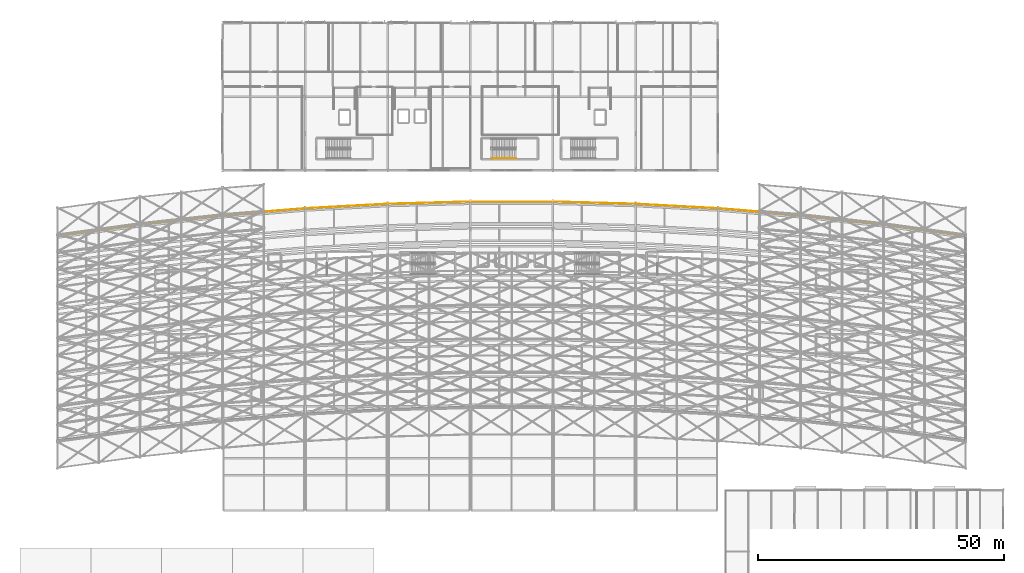
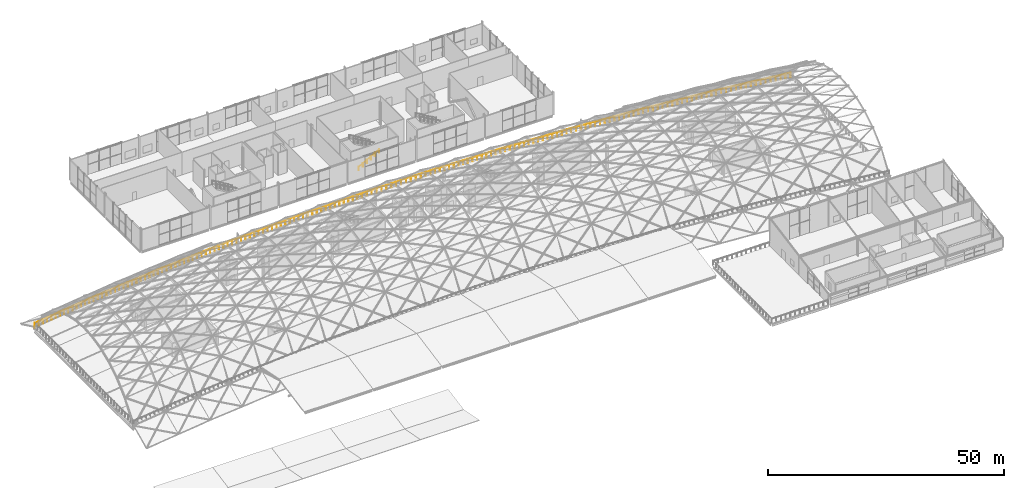
# One storey, part 95 of 100: 2 railings.
"""IFC4 building model written with IfcOpenShell, lengths in metres."""

from ifc_helpers import new_model, si_unit, direction, frame, origin, origin_2d, place, context, subcontext, project, spatial, circle, extrude, material, type_object, element, save


model = new_model("IFC4")

# Units and contexts
model_context = context("Model", 3, precision=1e-05, world=origin(), true_north=direction((0.0, 1.0)))
body_context = subcontext(model_context, "Body", "Model", "MODEL_VIEW")
ifc_project = project(units=[si_unit("LENGTHUNIT", "METRE"), si_unit("AREAUNIT", "SQUARE_METRE"), si_unit("VOLUMEUNIT", "CUBIC_METRE"), si_unit("PLANEANGLEUNIT", "RADIAN"), si_unit("MASSUNIT", "GRAM", prefix="KILO")], contexts=[model_context])

# Site, building, storey
site_placement = place(None, origin())
site = spatial("IfcSite", under=ifc_project, at=site_placement, CompositionType="ELEMENT")
building_placement = place(site_placement, origin())
building = spatial("IfcBuilding", under=site, at=building_placement, Name="Kimbaza Rail Terminus", CompositionType="ELEMENT")
storey_placement = place(building_placement, frame((0.0, 0.0, 10.800048828125)))
storey = spatial("IfcBuildingStorey", under=building, at=storey_placement, Name="L02", CompositionType="ELEMENT", Elevation=10.800048828125)

# Railings
ifc_material_1 = material(Name="Painted galvanised steel platform perimeter guard", Category="steel")
railing_type_1 = type_object("IfcRailingType", Name="ARC-RL-BAL115", PredefinedType="BALUSTRADE", material=ifc_material_1)
railing_1_placement = place(storey_placement, frame((21.60009765625, 89.77587890625, 0.0)))
element("IfcRailing", 1, at=railing_1_placement, inside=storey, type_object=railing_type_1, Name="Viaduct North Platform Edge Guard", PredefinedType="BALUSTRADE", context=body_context, shape_type="SweptSolid", body=[
    extrude(circle(Radius=0.02392578125, at=origin_2d()), frame((0.0, 0.0, 1.1259765625), z_axis=(0.990776995919, 0.135502562178, 0.0), x_axis=(-0.135502562178, 0.990776995919, 0.0)), (0.0, 0.0, 1.0), 16.956298828125),
    extrude(circle(Radius=0.02392578125, at=origin_2d()), frame((16.7998046875, 2.297607421875, 1.1259765625), z_axis=(0.994106649881, 0.108406497329, 0.0), x_axis=(-0.108406497329, 0.994106649881, 0.0)), (0.0, 0.0, 1.0), 16.899658203125),
    extrude(circle(Radius=0.02392578125, at=origin_2d()), frame((33.599853515625, 4.129638671875, 1.1259765625), z_axis=(0.99668976743, 0.081298877604, 0.0), x_axis=(-0.081298877604, 0.99668976743, 0.0)), (0.0, 0.0, 1.0), 16.85595703125),
    extrude(circle(Radius=0.02392578125, at=origin_2d()), frame((50.39990234375, 5.5, 1.1259765625), z_axis=(0.998530221346, 0.054197758806, 0.0), x_axis=(-0.054197758806, 0.998530221346, 0.0)), (0.0, 0.0, 1.0), 16.82470703125),
    extrude(circle(Radius=0.02392578125, at=origin_2d()), frame((67.199951171875, 6.411865234375, 1.1259765625), z_axis=(0.999632931162, 0.027092488579, 0.0), x_axis=(-0.027092488579, 0.999632931162, 0.0)), (0.0, 0.0, 1.0), 16.80615234375),
    extrude(circle(Radius=0.02392578125, at=origin_2d()), frame((84.0, 6.8671875, 1.1259765625), z_axis=(1.0, 0.0, 0.0), x_axis=(0.0, 1.0, 0.0)), (0.0, 0.0, 1.0), 16.7998046875),
    extrude(circle(Radius=0.02392578125, at=origin_2d()), frame((100.7998046875, 6.8671875, 1.1259765625), z_axis=(0.999632931162, -0.027092488579, 0.0), x_axis=(0.027092488579, 0.999632931162, 0.0)), (0.0, 0.0, 1.0), 16.80615234375),
    extrude(circle(Radius=0.02392578125, at=origin_2d()), frame((117.599853515625, 6.411865234375, 1.1259765625), z_axis=(0.998530221346, -0.054197758806, 0.0), x_axis=(0.054197758806, 0.998530221346, 0.0)), (0.0, 0.0, 1.0), 16.82470703125),
    extrude(circle(Radius=0.02392578125, at=origin_2d()), frame((134.39990234375, 5.5, 1.1259765625), z_axis=(0.99668976743, -0.081298877604, 0.0), x_axis=(0.081298877604, 0.99668976743, 0.0)), (0.0, 0.0, 1.0), 16.85595703125),
    extrude(circle(Radius=0.02392578125, at=origin_2d()), frame((151.199951171875, 4.129638671875, 1.1259765625), z_axis=(0.994106649881, -0.108406497329, 0.0), x_axis=(0.108406497329, 0.994106649881, 0.0)), (0.0, 0.0, 1.0), 16.899658203125),
    extrude(circle(Radius=0.02392578125, at=origin_2d()), frame((168.0, 2.297607421875, 1.1259765625), z_axis=(0.990776995919, -0.135502562178, 0.0), x_axis=(0.135502562178, 0.990776995919, 0.0)), (0.0, 0.0, 1.0), 16.956298828125),
    extrude(circle(Radius=0.02099609375, at=origin_2d()), origin(), (0.0, 0.0, 1.0), 1.101806640625),
    extrude(circle(Radius=0.02099609375, at=origin_2d()), frame((1.119873046875, 0.153076171875, 0.0)), (0.0, 0.0, 1.0), 1.101806640625),
    extrude(circle(Radius=0.02099609375, at=origin_2d()), frame((2.239990234375, 0.306396484375, 0.0)), (0.0, 0.0, 1.0), 1.101806640625),
    extrude(circle(Radius=0.02099609375, at=origin_2d()), frame((3.35986328125, 0.45947265625, 0.0)), (0.0, 0.0, 1.0), 1.101806640625),
    extrude(circle(Radius=0.02099609375, at=origin_2d()), frame((4.47998046875, 0.61279296875, 0.0)), (0.0, 0.0, 1.0), 1.101806640625),
    extrude(circle(Radius=0.02099609375, at=origin_2d()), frame((5.599853515625, 0.765869140625, 0.0)), (0.0, 0.0, 1.0), 1.101806640625),
    extrude(circle(Radius=0.02099609375, at=origin_2d()), frame((6.719970703125, 0.9189453125, 0.0)), (0.0, 0.0, 1.0), 1.101806640625),
    extrude(circle(Radius=0.02099609375, at=origin_2d()), frame((7.83984375, 1.072265625, 0.0)), (0.0, 0.0, 1.0), 1.101806640625),
    extrude(circle(Radius=0.02099609375, at=origin_2d()), frame((8.9599609375, 1.225341796875, 0.0)), (0.0, 0.0, 1.0), 1.101806640625),
    extrude(circle(Radius=0.02099609375, at=origin_2d()), frame((10.079833984375, 1.378662109375, 0.0)), (0.0, 0.0, 1.0), 1.101806640625),
    extrude(circle(Radius=0.02099609375, at=origin_2d()), frame((11.199951171875, 1.53173828125, 0.0)), (0.0, 0.0, 1.0), 1.101806640625),
    extrude(circle(Radius=0.02099609375, at=origin_2d()), frame((12.31982421875, 1.684814453125, 0.0)), (0.0, 0.0, 1.0), 1.101806640625),
    extrude(circle(Radius=0.02099609375, at=origin_2d()), frame((13.43994140625, 1.838134765625, 0.0)), (0.0, 0.0, 1.0), 1.101806640625),
    extrude(circle(Radius=0.02099609375, at=origin_2d()), frame((14.559814453125, 1.9912109375, 0.0)), (0.0, 0.0, 1.0), 1.101806640625),
    extrude(circle(Radius=0.02099609375, at=origin_2d()), frame((15.679931640625, 2.14453125, 0.0)), (0.0, 0.0, 1.0), 1.101806640625),
    extrude(circle(Radius=0.02099609375, at=origin_2d()), frame((16.7998046875, 2.297607421875, 0.0)), (0.0, 0.0, 1.0), 1.101806640625),
    extrude(circle(Radius=0.02099609375, at=origin_2d()), frame((17.919921875, 2.419677734375, 0.0)), (0.0, 0.0, 1.0), 1.101806640625),
    extrude(circle(Radius=0.02099609375, at=origin_2d()), frame((19.039794921875, 2.5419921875, 0.0)), (0.0, 0.0, 1.0), 1.101806640625),
    extrude(circle(Radius=0.02099609375, at=origin_2d()), frame((20.159912109375, 2.6640625, 0.0)), (0.0, 0.0, 1.0), 1.101806640625),
    extrude(circle(Radius=0.02099609375, at=origin_2d()), frame((21.27978515625, 2.7861328125, 0.0)), (0.0, 0.0, 1.0), 1.101806640625),
    extrude(circle(Radius=0.02099609375, at=origin_2d()), frame((22.39990234375, 2.908203125, 0.0)), (0.0, 0.0, 1.0), 1.101806640625),
    extrude(circle(Radius=0.02099609375, at=origin_2d()), frame((23.519775390625, 3.030517578125, 0.0)), (0.0, 0.0, 1.0), 1.101806640625),
    extrude(circle(Radius=0.02099609375, at=origin_2d()), frame((24.639892578125, 3.152587890625, 0.0)), (0.0, 0.0, 1.0), 1.101806640625),
    extrude(circle(Radius=0.02099609375, at=origin_2d()), frame((25.759765625, 3.274658203125, 0.0)), (0.0, 0.0, 1.0), 1.101806640625),
    extrude(circle(Radius=0.02099609375, at=origin_2d()), frame((26.8798828125, 3.396728515625, 0.0)), (0.0, 0.0, 1.0), 1.101806640625),
    extrude(circle(Radius=0.02099609375, at=origin_2d()), frame((27.999755859375, 3.51904296875, 0.0)), (0.0, 0.0, 1.0), 1.101806640625),
    extrude(circle(Radius=0.02099609375, at=origin_2d()), frame((29.119873046875, 3.64111328125, 0.0)), (0.0, 0.0, 1.0), 1.101806640625),
    extrude(circle(Radius=0.02099609375, at=origin_2d()), frame((30.23974609375, 3.76318359375, 0.0)), (0.0, 0.0, 1.0), 1.101806640625),
    extrude(circle(Radius=0.02099609375, at=origin_2d()), frame((31.35986328125, 3.88525390625, 0.0)), (0.0, 0.0, 1.0), 1.101806640625),
    extrude(circle(Radius=0.02099609375, at=origin_2d()), frame((32.479736328125, 4.007568359375, 0.0)), (0.0, 0.0, 1.0), 1.101806640625),
    extrude(circle(Radius=0.02099609375, at=origin_2d()), frame((33.599853515625, 4.129638671875, 0.0)), (0.0, 0.0, 1.0), 1.101806640625),
    extrude(circle(Radius=0.02099609375, at=origin_2d()), frame((34.719970703125, 4.220947265625, 0.0)), (0.0, 0.0, 1.0), 1.101806640625),
    extrude(circle(Radius=0.02099609375, at=origin_2d()), frame((35.83984375, 4.312255859375, 0.0)), (0.0, 0.0, 1.0), 1.101806640625),
    extrude(circle(Radius=0.02099609375, at=origin_2d()), frame((36.9599609375, 4.40380859375, 0.0)), (0.0, 0.0, 1.0), 1.101806640625),
    extrude(circle(Radius=0.02099609375, at=origin_2d()), frame((38.079833984375, 4.4951171875, 0.0)), (0.0, 0.0, 1.0), 1.101806640625),
    extrude(circle(Radius=0.02099609375, at=origin_2d()), frame((39.199951171875, 4.58642578125, 0.0)), (0.0, 0.0, 1.0), 1.101806640625),
    extrude(circle(Radius=0.02099609375, at=origin_2d()), frame((40.31982421875, 4.677734375, 0.0)), (0.0, 0.0, 1.0), 1.101806640625),
    extrude(circle(Radius=0.02099609375, at=origin_2d()), frame((41.43994140625, 4.76904296875, 0.0)), (0.0, 0.0, 1.0), 1.101806640625),
    extrude(circle(Radius=0.02099609375, at=origin_2d()), frame((42.559814453125, 4.860595703125, 0.0)), (0.0, 0.0, 1.0), 1.101806640625),
    extrude(circle(Radius=0.02099609375, at=origin_2d()), frame((43.679931640625, 4.951904296875, 0.0)), (0.0, 0.0, 1.0), 1.101806640625),
    extrude(circle(Radius=0.02099609375, at=origin_2d()), frame((44.7998046875, 5.043212890625, 0.0)), (0.0, 0.0, 1.0), 1.101806640625),
    extrude(circle(Radius=0.02099609375, at=origin_2d()), frame((45.919921875, 5.134521484375, 0.0)), (0.0, 0.0, 1.0), 1.101806640625),
    extrude(circle(Radius=0.02099609375, at=origin_2d()), frame((47.039794921875, 5.225830078125, 0.0)), (0.0, 0.0, 1.0), 1.101806640625),
    extrude(circle(Radius=0.02099609375, at=origin_2d()), frame((48.159912109375, 5.3173828125, 0.0)), (0.0, 0.0, 1.0), 1.101806640625),
    extrude(circle(Radius=0.02099609375, at=origin_2d()), frame((49.27978515625, 5.40869140625, 0.0)), (0.0, 0.0, 1.0), 1.101806640625),
    extrude(circle(Radius=0.02099609375, at=origin_2d()), frame((50.39990234375, 5.5, 0.0)), (0.0, 0.0, 1.0), 1.101806640625),
    extrude(circle(Radius=0.02099609375, at=origin_2d()), frame((51.52001953125, 5.560791015625, 0.0)), (0.0, 0.0, 1.0), 1.101806640625),
    extrude(circle(Radius=0.02099609375, at=origin_2d()), frame((52.639892578125, 5.62158203125, 0.0)), (0.0, 0.0, 1.0), 1.101806640625),
    extrude(circle(Radius=0.02099609375, at=origin_2d()), frame((53.760009765625, 5.682373046875, 0.0)), (0.0, 0.0, 1.0), 1.101806640625),
    extrude(circle(Radius=0.02099609375, at=origin_2d()), frame((54.8798828125, 5.7431640625, 0.0)), (0.0, 0.0, 1.0), 1.101806640625),
    extrude(circle(Radius=0.02099609375, at=origin_2d()), frame((56.0, 5.803955078125, 0.0)), (0.0, 0.0, 1.0), 1.101806640625),
    extrude(circle(Radius=0.02099609375, at=origin_2d()), frame((57.119873046875, 5.86474609375, 0.0)), (0.0, 0.0, 1.0), 1.101806640625),
    extrude(circle(Radius=0.02099609375, at=origin_2d()), frame((58.239990234375, 5.925537109375, 0.0)), (0.0, 0.0, 1.0), 1.101806640625),
    extrude(circle(Radius=0.02099609375, at=origin_2d()), frame((59.35986328125, 5.986328125, 0.0)), (0.0, 0.0, 1.0), 1.101806640625),
    extrude(circle(Radius=0.02099609375, at=origin_2d()), frame((60.47998046875, 6.047119140625, 0.0)), (0.0, 0.0, 1.0), 1.101806640625),
    extrude(circle(Radius=0.02099609375, at=origin_2d()), frame((61.599853515625, 6.10791015625, 0.0)), (0.0, 0.0, 1.0), 1.101806640625),
    extrude(circle(Radius=0.02099609375, at=origin_2d()), frame((62.719970703125, 6.168701171875, 0.0)), (0.0, 0.0, 1.0), 1.101806640625),
    extrude(circle(Radius=0.02099609375, at=origin_2d()), frame((63.83984375, 6.2294921875, 0.0)), (0.0, 0.0, 1.0), 1.101806640625),
    extrude(circle(Radius=0.02099609375, at=origin_2d()), frame((64.9599609375, 6.290283203125, 0.0)), (0.0, 0.0, 1.0), 1.101806640625),
    extrude(circle(Radius=0.02099609375, at=origin_2d()), frame((66.079833984375, 6.35107421875, 0.0)), (0.0, 0.0, 1.0), 1.101806640625),
    extrude(circle(Radius=0.02099609375, at=origin_2d()), frame((67.199951171875, 6.411865234375, 0.0)), (0.0, 0.0, 1.0), 1.101806640625),
    extrude(circle(Radius=0.02099609375, at=origin_2d()), frame((68.320068359375, 6.442138671875, 0.0)), (0.0, 0.0, 1.0), 1.101806640625),
    extrude(circle(Radius=0.02099609375, at=origin_2d()), frame((69.43994140625, 6.47265625, 0.0)), (0.0, 0.0, 1.0), 1.101806640625),
    extrude(circle(Radius=0.02099609375, at=origin_2d()), frame((70.56005859375, 6.5029296875, 0.0)), (0.0, 0.0, 1.0), 1.101806640625),
    extrude(circle(Radius=0.02099609375, at=origin_2d()), frame((71.679931640625, 6.533203125, 0.0)), (0.0, 0.0, 1.0), 1.101806640625),
    extrude(circle(Radius=0.02099609375, at=origin_2d()), frame((72.800048828125, 6.563720703125, 0.0)), (0.0, 0.0, 1.0), 1.101806640625),
    extrude(circle(Radius=0.02099609375, at=origin_2d()), frame((73.919921875, 6.593994140625, 0.0)), (0.0, 0.0, 1.0), 1.101806640625),
    extrude(circle(Radius=0.02099609375, at=origin_2d()), frame((75.0400390625, 6.624267578125, 0.0)), (0.0, 0.0, 1.0), 1.101806640625),
    extrude(circle(Radius=0.02099609375, at=origin_2d()), frame((76.159912109375, 6.65478515625, 0.0)), (0.0, 0.0, 1.0), 1.101806640625),
    extrude(circle(Radius=0.02099609375, at=origin_2d()), frame((77.280029296875, 6.68505859375, 0.0)), (0.0, 0.0, 1.0), 1.101806640625),
    extrude(circle(Radius=0.02099609375, at=origin_2d()), frame((78.39990234375, 6.71533203125, 0.0)), (0.0, 0.0, 1.0), 1.101806640625),
    extrude(circle(Radius=0.02099609375, at=origin_2d()), frame((79.52001953125, 6.745849609375, 0.0)), (0.0, 0.0, 1.0), 1.101806640625),
    extrude(circle(Radius=0.02099609375, at=origin_2d()), frame((80.639892578125, 6.776123046875, 0.0)), (0.0, 0.0, 1.0), 1.101806640625),
    extrude(circle(Radius=0.02099609375, at=origin_2d()), frame((81.760009765625, 6.806396484375, 0.0)), (0.0, 0.0, 1.0), 1.101806640625),
    extrude(circle(Radius=0.02099609375, at=origin_2d()), frame((82.8798828125, 6.8369140625, 0.0)), (0.0, 0.0, 1.0), 1.101806640625),
    extrude(circle(Radius=0.02099609375, at=origin_2d()), frame((84.0, 6.8671875, 0.0)), (0.0, 0.0, 1.0), 1.101806640625),
    extrude(circle(Radius=0.02099609375, at=origin_2d()), frame((85.199951171875, 6.8671875, 0.0)), (0.0, 0.0, 1.0), 1.101806640625),
    extrude(circle(Radius=0.02099609375, at=origin_2d()), frame((86.39990234375, 6.8671875, 0.0)), (0.0, 0.0, 1.0), 1.101806640625),
    extrude(circle(Radius=0.02099609375, at=origin_2d()), frame((87.599853515625, 6.8671875, 0.0)), (0.0, 0.0, 1.0), 1.101806640625),
    extrude(circle(Radius=0.02099609375, at=origin_2d()), frame((88.800048828125, 6.8671875, 0.0)), (0.0, 0.0, 1.0), 1.101806640625),
    extrude(circle(Radius=0.02099609375, at=origin_2d()), frame((90.0, 6.8671875, 0.0)), (0.0, 0.0, 1.0), 1.101806640625),
    extrude(circle(Radius=0.02099609375, at=origin_2d()), frame((91.199951171875, 6.8671875, 0.0)), (0.0, 0.0, 1.0), 1.101806640625),
    extrude(circle(Radius=0.02099609375, at=origin_2d()), frame((92.39990234375, 6.8671875, 0.0)), (0.0, 0.0, 1.0), 1.101806640625),
    extrude(circle(Radius=0.02099609375, at=origin_2d()), frame((93.599853515625, 6.8671875, 0.0)), (0.0, 0.0, 1.0), 1.101806640625),
    extrude(circle(Radius=0.02099609375, at=origin_2d()), frame((94.7998046875, 6.8671875, 0.0)), (0.0, 0.0, 1.0), 1.101806640625),
    extrude(circle(Radius=0.02099609375, at=origin_2d()), frame((95.999755859375, 6.8671875, 0.0)), (0.0, 0.0, 1.0), 1.101806640625),
    extrude(circle(Radius=0.02099609375, at=origin_2d()), frame((97.199951171875, 6.8671875, 0.0)), (0.0, 0.0, 1.0), 1.101806640625),
    extrude(circle(Radius=0.02099609375, at=origin_2d()), frame((98.39990234375, 6.8671875, 0.0)), (0.0, 0.0, 1.0), 1.101806640625),
    extrude(circle(Radius=0.02099609375, at=origin_2d()), frame((99.599853515625, 6.8671875, 0.0)), (0.0, 0.0, 1.0), 1.101806640625),
    extrude(circle(Radius=0.02099609375, at=origin_2d()), frame((100.7998046875, 6.8671875, 0.0)), (0.0, 0.0, 1.0), 1.101806640625),
    extrude(circle(Radius=0.02099609375, at=origin_2d()), frame((101.919921875, 6.8369140625, 0.0)), (0.0, 0.0, 1.0), 1.101806640625),
    extrude(circle(Radius=0.02099609375, at=origin_2d()), frame((103.039794921875, 6.806396484375, 0.0)), (0.0, 0.0, 1.0), 1.101806640625),
    extrude(circle(Radius=0.02099609375, at=origin_2d()), frame((104.159912109375, 6.776123046875, 0.0)), (0.0, 0.0, 1.0), 1.101806640625),
    extrude(circle(Radius=0.02099609375, at=origin_2d()), frame((105.27978515625, 6.745849609375, 0.0)), (0.0, 0.0, 1.0), 1.101806640625),
    extrude(circle(Radius=0.02099609375, at=origin_2d()), frame((106.39990234375, 6.71533203125, 0.0)), (0.0, 0.0, 1.0), 1.101806640625),
    extrude(circle(Radius=0.02099609375, at=origin_2d()), frame((107.519775390625, 6.68505859375, 0.0)), (0.0, 0.0, 1.0), 1.101806640625),
    extrude(circle(Radius=0.02099609375, at=origin_2d()), frame((108.639892578125, 6.65478515625, 0.0)), (0.0, 0.0, 1.0), 1.101806640625),
    extrude(circle(Radius=0.02099609375, at=origin_2d()), frame((109.759765625, 6.624267578125, 0.0)), (0.0, 0.0, 1.0), 1.101806640625),
    extrude(circle(Radius=0.02099609375, at=origin_2d()), frame((110.8798828125, 6.593994140625, 0.0)), (0.0, 0.0, 1.0), 1.101806640625),
    extrude(circle(Radius=0.02099609375, at=origin_2d()), frame((111.999755859375, 6.563720703125, 0.0)), (0.0, 0.0, 1.0), 1.101806640625),
    extrude(circle(Radius=0.02099609375, at=origin_2d()), frame((113.119873046875, 6.533203125, 0.0)), (0.0, 0.0, 1.0), 1.101806640625),
    extrude(circle(Radius=0.02099609375, at=origin_2d()), frame((114.23974609375, 6.5029296875, 0.0)), (0.0, 0.0, 1.0), 1.101806640625),
    extrude(circle(Radius=0.02099609375, at=origin_2d()), frame((115.35986328125, 6.47265625, 0.0)), (0.0, 0.0, 1.0), 1.101806640625),
    extrude(circle(Radius=0.02099609375, at=origin_2d()), frame((116.479736328125, 6.442138671875, 0.0)), (0.0, 0.0, 1.0), 1.101806640625),
    extrude(circle(Radius=0.02099609375, at=origin_2d()), frame((117.599853515625, 6.411865234375, 0.0)), (0.0, 0.0, 1.0), 1.101806640625),
    extrude(circle(Radius=0.02099609375, at=origin_2d()), frame((118.719970703125, 6.35107421875, 0.0)), (0.0, 0.0, 1.0), 1.101806640625),
    extrude(circle(Radius=0.02099609375, at=origin_2d()), frame((119.83984375, 6.290283203125, 0.0)), (0.0, 0.0, 1.0), 1.101806640625),
    extrude(circle(Radius=0.02099609375, at=origin_2d()), frame((120.9599609375, 6.2294921875, 0.0)), (0.0, 0.0, 1.0), 1.101806640625),
    extrude(circle(Radius=0.02099609375, at=origin_2d()), frame((122.079833984375, 6.168701171875, 0.0)), (0.0, 0.0, 1.0), 1.101806640625),
    extrude(circle(Radius=0.02099609375, at=origin_2d()), frame((123.199951171875, 6.10791015625, 0.0)), (0.0, 0.0, 1.0), 1.101806640625),
    extrude(circle(Radius=0.02099609375, at=origin_2d()), frame((124.31982421875, 6.047119140625, 0.0)), (0.0, 0.0, 1.0), 1.101806640625),
    extrude(circle(Radius=0.02099609375, at=origin_2d()), frame((125.43994140625, 5.986328125, 0.0)), (0.0, 0.0, 1.0), 1.101806640625),
    extrude(circle(Radius=0.02099609375, at=origin_2d()), frame((126.559814453125, 5.925537109375, 0.0)), (0.0, 0.0, 1.0), 1.101806640625),
    extrude(circle(Radius=0.02099609375, at=origin_2d()), frame((127.679931640625, 5.86474609375, 0.0)), (0.0, 0.0, 1.0), 1.101806640625),
    extrude(circle(Radius=0.02099609375, at=origin_2d()), frame((128.7998046875, 5.803955078125, 0.0)), (0.0, 0.0, 1.0), 1.101806640625),
    extrude(circle(Radius=0.02099609375, at=origin_2d()), frame((129.919921875, 5.7431640625, 0.0)), (0.0, 0.0, 1.0), 1.101806640625),
    extrude(circle(Radius=0.02099609375, at=origin_2d()), frame((131.039794921875, 5.682373046875, 0.0)), (0.0, 0.0, 1.0), 1.101806640625),
    extrude(circle(Radius=0.02099609375, at=origin_2d()), frame((132.159912109375, 5.62158203125, 0.0)), (0.0, 0.0, 1.0), 1.101806640625),
    extrude(circle(Radius=0.02099609375, at=origin_2d()), frame((133.27978515625, 5.560791015625, 0.0)), (0.0, 0.0, 1.0), 1.101806640625),
    extrude(circle(Radius=0.02099609375, at=origin_2d()), frame((134.39990234375, 5.5, 0.0)), (0.0, 0.0, 1.0), 1.101806640625),
    extrude(circle(Radius=0.02099609375, at=origin_2d()), frame((135.52001953125, 5.40869140625, 0.0)), (0.0, 0.0, 1.0), 1.101806640625),
    extrude(circle(Radius=0.02099609375, at=origin_2d()), frame((136.639892578125, 5.3173828125, 0.0)), (0.0, 0.0, 1.0), 1.101806640625),
    extrude(circle(Radius=0.02099609375, at=origin_2d()), frame((137.760009765625, 5.225830078125, 0.0)), (0.0, 0.0, 1.0), 1.101806640625),
    extrude(circle(Radius=0.02099609375, at=origin_2d()), frame((138.8798828125, 5.134521484375, 0.0)), (0.0, 0.0, 1.0), 1.101806640625),
    extrude(circle(Radius=0.02099609375, at=origin_2d()), frame((140.0, 5.043212890625, 0.0)), (0.0, 0.0, 1.0), 1.101806640625),
    extrude(circle(Radius=0.02099609375, at=origin_2d()), frame((141.119873046875, 4.951904296875, 0.0)), (0.0, 0.0, 1.0), 1.101806640625),
    extrude(circle(Radius=0.02099609375, at=origin_2d()), frame((142.239990234375, 4.860595703125, 0.0)), (0.0, 0.0, 1.0), 1.101806640625),
    extrude(circle(Radius=0.02099609375, at=origin_2d()), frame((143.35986328125, 4.76904296875, 0.0)), (0.0, 0.0, 1.0), 1.101806640625),
    extrude(circle(Radius=0.02099609375, at=origin_2d()), frame((144.47998046875, 4.677734375, 0.0)), (0.0, 0.0, 1.0), 1.101806640625),
    extrude(circle(Radius=0.02099609375, at=origin_2d()), frame((145.599853515625, 4.58642578125, 0.0)), (0.0, 0.0, 1.0), 1.101806640625),
    extrude(circle(Radius=0.02099609375, at=origin_2d()), frame((146.719970703125, 4.4951171875, 0.0)), (0.0, 0.0, 1.0), 1.101806640625),
    extrude(circle(Radius=0.02099609375, at=origin_2d()), frame((147.83984375, 4.40380859375, 0.0)), (0.0, 0.0, 1.0), 1.101806640625),
    extrude(circle(Radius=0.02099609375, at=origin_2d()), frame((148.9599609375, 4.312255859375, 0.0)), (0.0, 0.0, 1.0), 1.101806640625),
    extrude(circle(Radius=0.02099609375, at=origin_2d()), frame((150.079833984375, 4.220947265625, 0.0)), (0.0, 0.0, 1.0), 1.101806640625),
    extrude(circle(Radius=0.02099609375, at=origin_2d()), frame((151.199951171875, 4.129638671875, 0.0)), (0.0, 0.0, 1.0), 1.101806640625),
    extrude(circle(Radius=0.02099609375, at=origin_2d()), frame((152.320068359375, 4.007568359375, 0.0)), (0.0, 0.0, 1.0), 1.101806640625),
    extrude(circle(Radius=0.02099609375, at=origin_2d()), frame((153.43994140625, 3.88525390625, 0.0)), (0.0, 0.0, 1.0), 1.101806640625),
    extrude(circle(Radius=0.02099609375, at=origin_2d()), frame((154.56005859375, 3.76318359375, 0.0)), (0.0, 0.0, 1.0), 1.101806640625),
    extrude(circle(Radius=0.02099609375, at=origin_2d()), frame((155.679931640625, 3.64111328125, 0.0)), (0.0, 0.0, 1.0), 1.101806640625),
    extrude(circle(Radius=0.02099609375, at=origin_2d()), frame((156.800048828125, 3.51904296875, 0.0)), (0.0, 0.0, 1.0), 1.101806640625),
    extrude(circle(Radius=0.02099609375, at=origin_2d()), frame((157.919921875, 3.396728515625, 0.0)), (0.0, 0.0, 1.0), 1.101806640625),
    extrude(circle(Radius=0.02099609375, at=origin_2d()), frame((159.0400390625, 3.274658203125, 0.0)), (0.0, 0.0, 1.0), 1.101806640625),
    extrude(circle(Radius=0.02099609375, at=origin_2d()), frame((160.159912109375, 3.152587890625, 0.0)), (0.0, 0.0, 1.0), 1.101806640625),
    extrude(circle(Radius=0.02099609375, at=origin_2d()), frame((161.280029296875, 3.030517578125, 0.0)), (0.0, 0.0, 1.0), 1.101806640625),
    extrude(circle(Radius=0.02099609375, at=origin_2d()), frame((162.39990234375, 2.908203125, 0.0)), (0.0, 0.0, 1.0), 1.101806640625),
    extrude(circle(Radius=0.02099609375, at=origin_2d()), frame((163.52001953125, 2.7861328125, 0.0)), (0.0, 0.0, 1.0), 1.101806640625),
    extrude(circle(Radius=0.02099609375, at=origin_2d()), frame((164.639892578125, 2.6640625, 0.0)), (0.0, 0.0, 1.0), 1.101806640625),
    extrude(circle(Radius=0.02099609375, at=origin_2d()), frame((165.760009765625, 2.5419921875, 0.0)), (0.0, 0.0, 1.0), 1.101806640625),
    extrude(circle(Radius=0.02099609375, at=origin_2d()), frame((166.8798828125, 2.419677734375, 0.0)), (0.0, 0.0, 1.0), 1.101806640625),
    extrude(circle(Radius=0.02099609375, at=origin_2d()), frame((168.0, 2.297607421875, 0.0)), (0.0, 0.0, 1.0), 1.101806640625),
    extrude(circle(Radius=0.02099609375, at=origin_2d()), frame((169.119873046875, 2.14453125, 0.0)), (0.0, 0.0, 1.0), 1.101806640625),
    extrude(circle(Radius=0.02099609375, at=origin_2d()), frame((170.239990234375, 1.9912109375, 0.0)), (0.0, 0.0, 1.0), 1.101806640625),
    extrude(circle(Radius=0.02099609375, at=origin_2d()), frame((171.35986328125, 1.838134765625, 0.0)), (0.0, 0.0, 1.0), 1.101806640625),
    extrude(circle(Radius=0.02099609375, at=origin_2d()), frame((172.47998046875, 1.684814453125, 0.0)), (0.0, 0.0, 1.0), 1.101806640625),
    extrude(circle(Radius=0.02099609375, at=origin_2d()), frame((173.599853515625, 1.53173828125, 0.0)), (0.0, 0.0, 1.0), 1.101806640625),
    extrude(circle(Radius=0.02099609375, at=origin_2d()), frame((174.719970703125, 1.378662109375, 0.0)), (0.0, 0.0, 1.0), 1.101806640625),
    extrude(circle(Radius=0.02099609375, at=origin_2d()), frame((175.83984375, 1.225341796875, 0.0)), (0.0, 0.0, 1.0), 1.101806640625),
    extrude(circle(Radius=0.02099609375, at=origin_2d()), frame((176.9599609375, 1.072265625, 0.0)), (0.0, 0.0, 1.0), 1.101806640625),
    extrude(circle(Radius=0.02099609375, at=origin_2d()), frame((178.079833984375, 0.9189453125, 0.0)), (0.0, 0.0, 1.0), 1.101806640625),
    extrude(circle(Radius=0.02099609375, at=origin_2d()), frame((179.199951171875, 0.765869140625, 0.0)), (0.0, 0.0, 1.0), 1.101806640625),
    extrude(circle(Radius=0.02099609375, at=origin_2d()), frame((180.31982421875, 0.61279296875, 0.0)), (0.0, 0.0, 1.0), 1.101806640625),
    extrude(circle(Radius=0.02099609375, at=origin_2d()), frame((181.43994140625, 0.45947265625, 0.0)), (0.0, 0.0, 1.0), 1.101806640625),
    extrude(circle(Radius=0.02099609375, at=origin_2d()), frame((182.559814453125, 0.306396484375, 0.0)), (0.0, 0.0, 1.0), 1.101806640625),
    extrude(circle(Radius=0.02099609375, at=origin_2d()), frame((183.679931640625, 0.153076171875, 0.0)), (0.0, 0.0, 1.0), 1.101806640625),
    extrude(circle(Radius=0.02099609375, at=origin_2d()), frame((184.7998046875, 0.0, 0.0)), (0.0, 0.0, 1.0), 1.101806640625),
])
ifc_material_2 = material(Name="Brushed stainless steel handrail", Category="steel")
railing_type_2 = type_object("IfcRailingType", Name="ARC-RL-HND92", PredefinedType="HANDRAIL", material=ifc_material_2)
railing_2_placement = place(storey_placement, frame((109.919921875, 105.449951171875, 0.1875)))
element("IfcRailing", 2, at=railing_2_placement, inside=storey, type_object=railing_type_2, Name="L02 ST-M1 stair handrail 1", PredefinedType="HANDRAIL", context=body_context, shape_type="SweptSolid", body=[
    extrude(circle(Radius=0.02392578125, at=origin_2d()), frame((0.0, 0.0, 0.8759765625), z_axis=(0.869464929287, 0.0, 0.493994672785), x_axis=(0.0, 1.0, 0.0)), (0.0, 0.0, 1.0), 5.693359375),
    extrude(circle(Radius=0.02099609375, at=origin_2d()), origin(), (0.0, 0.0, 1.0), 0.851806640625),
    extrude(circle(Radius=0.02099609375, at=origin_2d()), frame((0.989990234375, 0.0, 0.5625)), (0.0, 0.0, 1.0), 0.851806640625),
    extrude(circle(Radius=0.02099609375, at=origin_2d()), frame((1.97998046875, 0.0, 1.125)), (0.0, 0.0, 1.0), 0.851806640625),
    extrude(circle(Radius=0.02099609375, at=origin_2d()), frame((2.97021484375, 0.0, 1.6875)), (0.0, 0.0, 1.0), 0.851806640625),
    extrude(circle(Radius=0.02099609375, at=origin_2d()), frame((3.960205078125, 0.0, 2.25)), (0.0, 0.0, 1.0), 0.851806640625),
    extrude(circle(Radius=0.02099609375, at=origin_2d()), frame((4.9501953125, 0.0, 2.8125)), (0.0, 0.0, 1.0), 0.851806640625),
])

save(model, "model.ifc")
